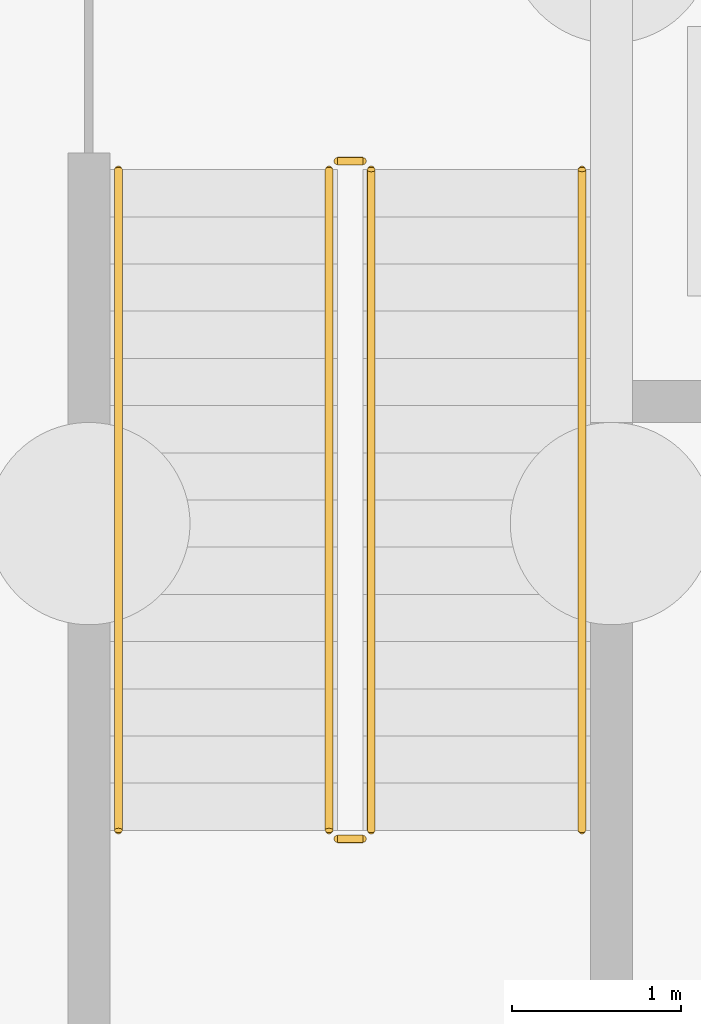
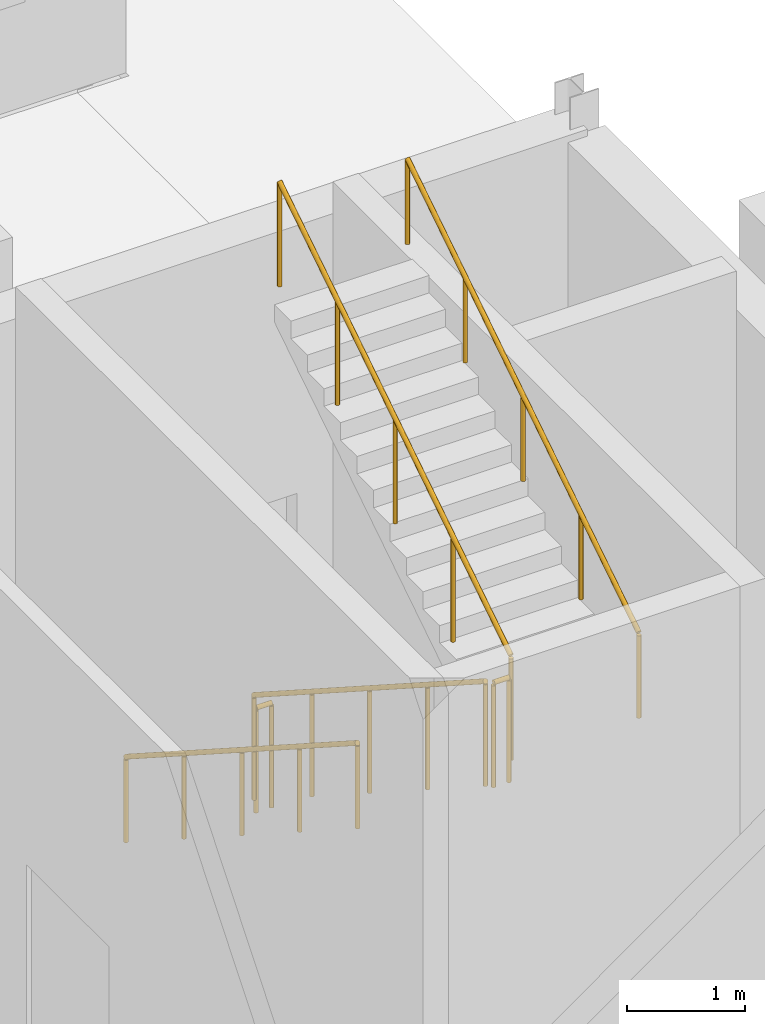
# One storey, part 156 of 168: 6 railings.
"""IFC4 building model written with IfcOpenShell, lengths in metres."""

from ifc_helpers import new_model, si_unit, direction, frame, origin, origin_2d, place, context, subcontext, project, spatial, circle, extrude, material, type_object, element, save


model = new_model("IFC4")

# Units and contexts
model_context = context("Model", 3, precision=1e-05, world=origin(), true_north=direction((0.0, 1.0)))
body_context = subcontext(model_context, "Body", "Model", "MODEL_VIEW")
ifc_project = project(units=[si_unit("LENGTHUNIT", "METRE"), si_unit("AREAUNIT", "SQUARE_METRE"), si_unit("VOLUMEUNIT", "CUBIC_METRE"), si_unit("PLANEANGLEUNIT", "RADIAN"), si_unit("MASSUNIT", "GRAM", prefix="KILO")], contexts=[model_context])

# Site, building, storey
site_placement = place(None, origin())
site = spatial("IfcSite", under=ifc_project, at=site_placement, CompositionType="ELEMENT")
building_placement = place(site_placement, origin())
building = spatial("IfcBuilding", under=site, at=building_placement, Name="Golden Quay Civic Hall", CompositionType="ELEMENT")
storey_placement = place(building_placement, origin())
storey = spatial("IfcBuildingStorey", under=building, at=storey_placement, Name="L00", CompositionType="ELEMENT", Elevation=0.0)

# Railings
ifc_material_1 = material(Name="Steel S355", Category="steel")
railing_type_1 = type_object("IfcRailingType", Name="Steel guard 1100", PredefinedType="GUARDRAIL", material=ifc_material_1)
railing_1_placement = place(storey_placement, frame((166.949951171875, 52.449951171875, 0.179931640625)))
element("IfcRailing", 1, at=railing_1_placement, inside=storey, type_object=railing_type_1, Name="L00 EO-N stair guard 1", PredefinedType="GUARDRAIL", context=body_context, shape_type="SweptSolid", body=[
    extrude(circle(Radius=0.02392578125, at=origin_2d()), frame((0.0, 0.0, 1.076171875), z_axis=(0.0, -0.841171666519, 0.540768182723), x_axis=(1.0, 0.0, 0.0)), (0.0, 0.0, 1.0), 4.66015625),
    extrude(circle(Radius=0.02099609375, at=origin_2d()), origin(), (0.0, 0.0, 1.0), 1.052001953125),
    extrude(circle(Radius=0.02099609375, at=origin_2d()), frame((0.0, -0.97998046875, 0.6298828125)), (0.0, 0.0, 1.0), 1.052001953125),
    extrude(circle(Radius=0.02099609375, at=origin_2d()), frame((0.0, -1.9599609375, 1.260009765625)), (0.0, 0.0, 1.0), 1.052001953125),
    extrude(circle(Radius=0.02099609375, at=origin_2d()), frame((0.0, -2.93994140625, 1.89013671875)), (0.0, 0.0, 1.0), 1.052001953125),
    extrude(circle(Radius=0.02099609375, at=origin_2d()), frame((0.0, -3.919921875, 2.52001953125)), (0.0, 0.0, 1.0), 1.052001953125),
])
railing_2_placement = place(storey_placement, frame((167.0, 48.47998046875, 2.699951171875)))
element("IfcRailing", 2, at=railing_2_placement, inside=storey, type_object=railing_type_1, Name="L00 EO-N stair guard 2", PredefinedType="GUARDRAIL", context=body_context, shape_type="SweptSolid", body=[
    extrude(circle(Radius=0.02392578125, at=origin_2d()), frame((0.0, 0.0, 1.076171875), z_axis=(1.0, 0.0, 0.0), x_axis=(0.0, 1.0, 0.0)), (0.0, 0.0, 1.0), 0.14990234375),
    extrude(circle(Radius=0.02099609375, at=origin_2d()), origin(), (0.0, 0.0, 1.0), 1.052001953125),
    extrude(circle(Radius=0.02099609375, at=origin_2d()), frame((0.14990234375, 0.0, 0.0)), (0.0, 0.0, 1.0), 1.052001953125),
])
railing_3_placement = place(storey_placement, frame((167.199951171875, 48.530029296875, 2.8798828125)))
element("IfcRailing", 3, at=railing_3_placement, inside=storey, type_object=railing_type_1, Name="L00 EO-N stair guard 3", PredefinedType="GUARDRAIL", context=body_context, shape_type="SweptSolid", body=[
    extrude(circle(Radius=0.02392578125, at=origin_2d()), frame((0.0, 0.0, 1.076171875), z_axis=(0.0, 0.841171666519, 0.540768182723), x_axis=(-1.0, 0.0, 0.0)), (0.0, 0.0, 1.0), 4.66015625),
    extrude(circle(Radius=0.02099609375, at=origin_2d()), origin(), (0.0, 0.0, 1.0), 1.052001953125),
    extrude(circle(Radius=0.02099609375, at=origin_2d()), frame((0.0, 0.97998046875, 0.6298828125)), (0.0, 0.0, 1.0), 1.052001953125),
    extrude(circle(Radius=0.02099609375, at=origin_2d()), frame((0.0, 1.9599609375, 1.260009765625)), (0.0, 0.0, 1.0), 1.052001953125),
    extrude(circle(Radius=0.02099609375, at=origin_2d()), frame((0.0, 2.93994140625, 1.89013671875)), (0.0, 0.0, 1.0), 1.052001953125),
    extrude(circle(Radius=0.02099609375, at=origin_2d()), frame((0.0, 3.919921875, 2.52001953125)), (0.0, 0.0, 1.0), 1.052001953125),
])
railing_4_placement = place(storey_placement, frame((167.0, 52.5, 0.0)))
element("IfcRailing", 4, at=railing_4_placement, inside=storey, type_object=railing_type_1, Name="L00 EO-N stair guard 4", PredefinedType="GUARDRAIL", context=body_context, shape_type="SweptSolid", body=[
    extrude(circle(Radius=0.02392578125, at=origin_2d()), frame((0.0, 0.0, 1.076171875), z_axis=(1.0, 0.0, 0.0), x_axis=(0.0, 1.0, 0.0)), (0.0, 0.0, 1.0), 0.14990234375),
    extrude(circle(Radius=0.02099609375, at=origin_2d()), origin(), (0.0, 0.0, 1.0), 1.052001953125),
    extrude(circle(Radius=0.02099609375, at=origin_2d()), frame((0.14990234375, 0.0, 0.0)), (0.0, 0.0, 1.0), 1.052001953125),
])
ifc_material_2 = material(Name="Steel S355", Category="steel")
railing_type_2 = type_object("IfcRailingType", Name="Steel handrail 900", PredefinedType="HANDRAIL", material=ifc_material_2)
railing_5_placement = place(storey_placement, frame((165.699951171875, 52.449951171875, 0.179931640625)))
element("IfcRailing", 5, at=railing_5_placement, inside=storey, type_object=railing_type_2, Name="L00 EO-N stair handrail 1", PredefinedType="HANDRAIL", context=body_context, shape_type="SweptSolid", body=[
    extrude(circle(Radius=0.02392578125, at=origin_2d()), frame((0.0, 0.0, 0.8759765625), z_axis=(0.0, -0.841171666519, 0.540768182723), x_axis=(1.0, 0.0, 0.0)), (0.0, 0.0, 1.0), 4.66015625),
    extrude(circle(Radius=0.02099609375, at=origin_2d()), origin(), (0.0, 0.0, 1.0), 0.851806640625),
    extrude(circle(Radius=0.02099609375, at=origin_2d()), frame((0.0, -0.97998046875, 0.6298828125)), (0.0, 0.0, 1.0), 0.851806640625),
    extrude(circle(Radius=0.02099609375, at=origin_2d()), frame((0.0, -1.9599609375, 1.260009765625)), (0.0, 0.0, 1.0), 0.851806640625),
    extrude(circle(Radius=0.02099609375, at=origin_2d()), frame((0.0, -2.93994140625, 1.89013671875)), (0.0, 0.0, 1.0), 0.851806640625),
    extrude(circle(Radius=0.02099609375, at=origin_2d()), frame((0.0, -3.919921875, 2.52001953125)), (0.0, 0.0, 1.0), 0.851806640625),
])
railing_6_placement = place(storey_placement, frame((168.449951171875, 48.530029296875, 2.8798828125)))
element("IfcRailing", 6, at=railing_6_placement, inside=storey, type_object=railing_type_2, Name="L00 EO-N stair handrail 2", PredefinedType="HANDRAIL", context=body_context, shape_type="SweptSolid", body=[
    extrude(circle(Radius=0.02392578125, at=origin_2d()), frame((0.0, 0.0, 0.8759765625), z_axis=(0.0, 0.841171666519, 0.540768182723), x_axis=(-1.0, 0.0, 0.0)), (0.0, 0.0, 1.0), 4.66015625),
    extrude(circle(Radius=0.02099609375, at=origin_2d()), origin(), (0.0, 0.0, 1.0), 0.851806640625),
    extrude(circle(Radius=0.02099609375, at=origin_2d()), frame((0.0, 0.97998046875, 0.6298828125)), (0.0, 0.0, 1.0), 0.851806640625),
    extrude(circle(Radius=0.02099609375, at=origin_2d()), frame((0.0, 1.9599609375, 1.260009765625)), (0.0, 0.0, 1.0), 0.851806640625),
    extrude(circle(Radius=0.02099609375, at=origin_2d()), frame((0.0, 2.93994140625, 1.89013671875)), (0.0, 0.0, 1.0), 0.851806640625),
    extrude(circle(Radius=0.02099609375, at=origin_2d()), frame((0.0, 3.919921875, 2.52001953125)), (0.0, 0.0, 1.0), 0.851806640625),
])

save(model, "model.ifc")
